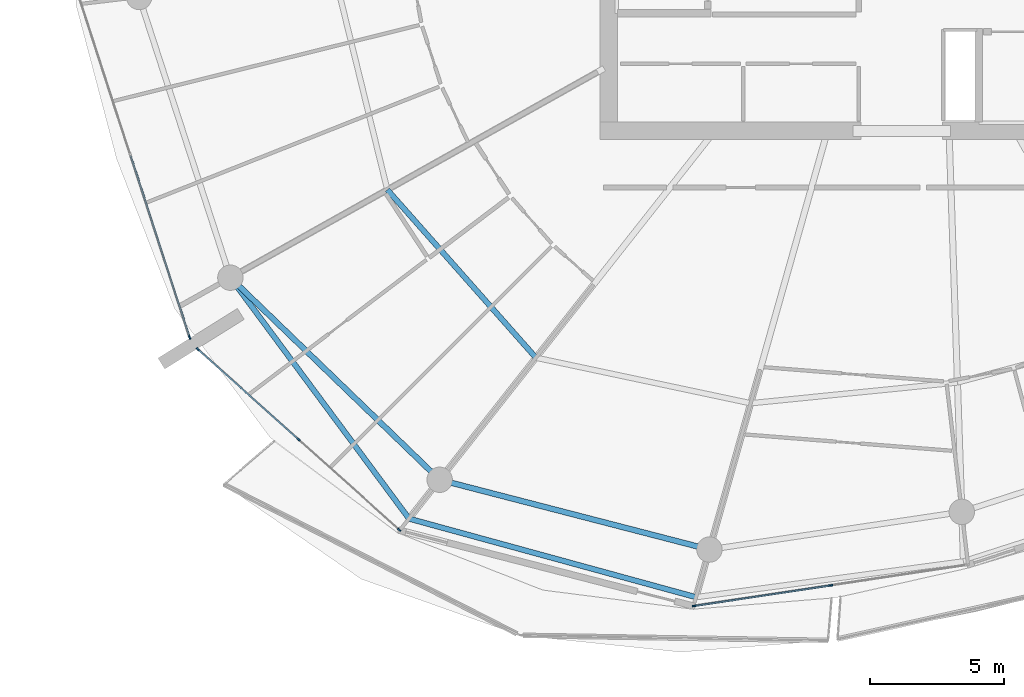
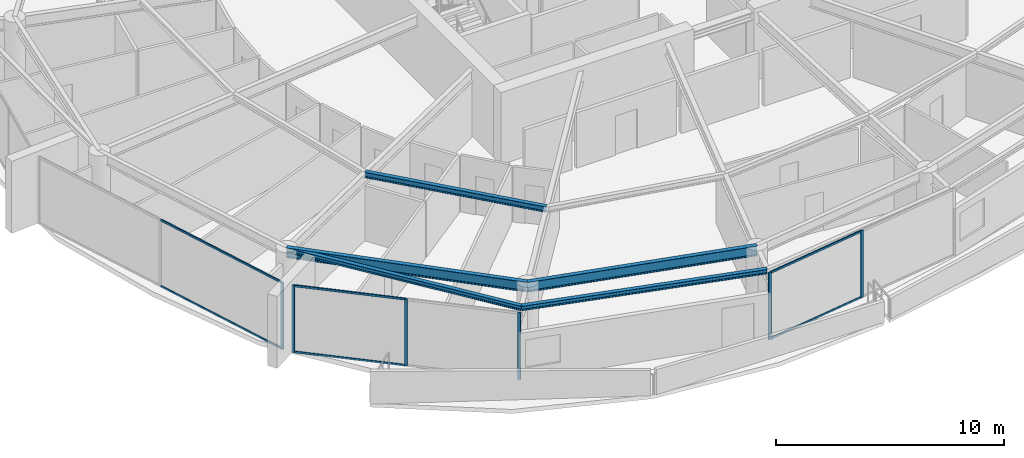
# One storey, part 5 of 29: 12 members, 5 beams, 3 elements without a shape of their own.
"""IFC4 building model written with IfcOpenShell, lengths in metres."""

from ifc_helpers import new_model, si_unit, direction, frame, origin, origin_2d, place, context, subcontext, project, spatial, rectangle, i_section, extrude, material, layer, layer_set, material_profile, profile_set, type_object, element, aggregate, save


model = new_model("IFC4")

# Units and contexts
model_context = context("Model", 3, precision=1e-05, world=origin(), true_north=direction((0.0, 1.0)))
body_context = subcontext(model_context, "Body", "Model", "MODEL_VIEW")
ifc_project = project(units=[si_unit("LENGTHUNIT", "METRE"), si_unit("AREAUNIT", "SQUARE_METRE"), si_unit("VOLUMEUNIT", "CUBIC_METRE"), si_unit("PLANEANGLEUNIT", "RADIAN"), si_unit("MASSUNIT", "GRAM", prefix="KILO")], contexts=[model_context])

# Site, building, storey
site_placement = place(None, origin())
site = spatial("IfcSite", under=ifc_project, at=site_placement, CompositionType="ELEMENT")
building_placement = place(site_placement, origin())
building = spatial("IfcBuilding", under=site, at=building_placement, Name="Kazma Halo Residences", CompositionType="ELEMENT")
storey_placement = place(building_placement, frame((0.0, 0.0, 252.10009765625)))
storey = spatial("IfcBuildingStorey", under=building, at=storey_placement, Name="L63", CompositionType="ELEMENT", Elevation=252.10009765625)

# Beams
ifc_material_1 = material(Name="Steel S355", Category="steel")
ifc_material_profile_1 = material_profile(ifc_material_1, i_section(OverallWidth=0.201904296875, OverallDepth=0.2470703125, WebThickness=0.00732421875, FlangeThickness=0.010986328125, FilletRadius=0.011962890625, at=origin_2d()), Name="W250x49.1")
ifc_profile_set_1 = profile_set([ifc_material_profile_1], Name="Steel S355")
beam_type_1 = type_object("IfcBeamType", Name="BM-BAL-CANT", PredefinedType="BEAM", material=ifc_profile_set_1)
beam_1_placement = place(storey_placement, frame((23.32958984375, 28.18408203125, 3.46630859375), z_axis=(0.595556062515, -0.803313747176, 0.0), x_axis=(0.803313747176, 0.595556062515, 0.0)))
element("IfcBeam", 1, at=beam_1_placement, inside=storey, type_object=beam_type_1, Name="L63 wave-balcony lead tie beam 09", PredefinedType="BEAM", context=body_context, shape_type="SweptSolid", body=[
    extrude(i_section(OverallWidth=0.201904296875, OverallDepth=0.2470703125, WebThickness=0.00732421875, FlangeThickness=0.010986328125, FilletRadius=0.011962890625, at=origin_2d()), origin(), (0.0, 0.0, 1.0), 11.213134765625),
])
beam_2_placement = place(storey_placement, frame((30.007568359375, 19.176513671875, 3.46630859375), z_axis=(0.964514665976, -0.264029277006, 0.0), x_axis=(0.264029277006, 0.964514665976, 0.0)))
element("IfcBeam", 2, at=beam_2_placement, inside=storey, type_object=beam_type_1, Name="L63 wave-balcony tie beam 10", PredefinedType="BEAM", context=body_context, shape_type="SweptSolid", body=[
    extrude(i_section(OverallWidth=0.201904296875, OverallDepth=0.2470703125, WebThickness=0.00732421875, FlangeThickness=0.010986328125, FilletRadius=0.011962890625, at=origin_2d()), origin(), (0.0, 0.0, 1.0), 11.1220703125),
])
ifc_material_profile_2 = material_profile(ifc_material_1, i_section(OverallWidth=0.202880859375, OverallDepth=0.302978515625, WebThickness=0.007568359375, FlangeThickness=0.01318359375, FilletRadius=0.013916015625, at=origin_2d()), Name="W310x60")
ifc_profile_set_2 = profile_set([ifc_material_profile_2], Name="Steel S355")
beam_type_2 = type_object("IfcBeamType", Name="BM-SEC-W310A", PredefinedType="JOIST", material=ifc_profile_set_2)
beam_3_placement = place(storey_placement, frame((29.197265625, 31.469970703125, 3.4384765625), z_axis=(0.662539311942, -0.749027142453, 0.0), x_axis=(0.749027142453, 0.662539311942, 0.0)))
element("IfcBeam", 3, at=beam_3_placement, inside=storey, type_object=beam_type_2, Name="L63 circumferential floor joist 09", PredefinedType="JOIST", context=body_context, shape_type="SweptSolid", body=[
    extrude(i_section(OverallWidth=0.202880859375, OverallDepth=0.302978515625, WebThickness=0.007568359375, FlangeThickness=0.01318359375, FilletRadius=0.013916015625, at=origin_2d()), origin(), (0.0, 0.0, 1.0), 8.381103515625),
])
ifc_material_profile_3 = material_profile(ifc_material_1, i_section(OverallWidth=0.208984375, OverallDepth=0.532958984375, WebThickness=0.01025390625, FlangeThickness=0.015625, FilletRadius=0.01611328125, at=origin_2d()), Name="W530x92")
ifc_profile_set_3 = profile_set([ifc_material_profile_3], Name="Steel S355")
beam_type_3 = type_object("IfcBeamType", Name="BM-SPN-W530", PredefinedType="BEAM", material=ifc_profile_set_3)
beam_4_placement = place(storey_placement, frame((23.32958984375, 28.18408203125, 3.323486328125), z_axis=(0.719345757929, -0.694652201141, 0.0), x_axis=(0.694652201141, 0.719345757929, 0.0)))
element("IfcBeam", 4, at=beam_4_placement, inside=storey, type_object=beam_type_3, Name="L63 perimeter ring beam 09", PredefinedType="BEAM", context=body_context, shape_type="SweptSolid", body=[
    extrude(i_section(OverallWidth=0.208984375, OverallDepth=0.532958984375, WebThickness=0.01025390625, FlangeThickness=0.015625, FilletRadius=0.01611328125, at=origin_2d()), origin(), (0.0, 0.0, 1.0), 10.87548828125),
])
beam_5_placement = place(storey_placement, frame((31.15283203125, 20.62939453125, 3.323486328125), z_axis=(0.968126042852, -0.250463500639, 0.0), x_axis=(0.250463500639, 0.968126042852, 0.0)))
element("IfcBeam", 5, at=beam_5_placement, inside=storey, type_object=beam_type_3, Name="L63 perimeter ring beam 10", PredefinedType="BEAM", context=body_context, shape_type="SweptSolid", body=[
    extrude(i_section(OverallWidth=0.208984375, OverallDepth=0.532958984375, WebThickness=0.01025390625, FlangeThickness=0.015625, FilletRadius=0.01611328125, at=origin_2d()), origin(), (0.0, 0.0, 1.0), 10.416259765625),
])

# Curtain wall, member
ifc_material_2 = material(Name="Aluminium AW-6063 T6 and Triple-Silver Low-E Glass", Category="aluminium")
ifc_layer = layer(ifc_material_2, 0.139892578125)
ifc_layer_set = layer_set([ifc_layer], Name="Aluminium AW-6063 T6 and Triple-Silver Low-E Glass")
curtain_wall_type = type_object("IfcCurtainWallType", Name="CW-SYS-5", PredefinedType="NOTDEFINED", material=ifc_layer_set)
curtain_wall_1_placement = place(storey_placement, origin())
curtain_wall_1 = element("IfcCurtainWall", 6, at=curtain_wall_1_placement, inside=storey, type_object=curtain_wall_type, Name="L63 unitised curtain wall B08", PredefinedType="NOTDEFINED")
ifc_material_3 = material(Name="Aluminium AW-6063 T6", Category="aluminium")
ifc_material_profile_4 = material_profile(ifc_material_3, rectangle(XDim=0.06005859375, YDim=0.139892578125, at=origin_2d()), Name="CWM-60x140")
ifc_profile_set_4 = profile_set([ifc_material_profile_4], Name="Aluminium AW-6063 T6")
member_type_1 = type_object("IfcMemberType", Name="CW-SYS-5-MUL", PredefinedType="MULLION", material=ifc_profile_set_4)
member_1_placement = place(storey_placement, frame((21.8076171875, 25.9521484375, 0.0), z_axis=(0.0, 0.0, 1.0), x_axis=(0.951058464359, 0.309010998786, 0.0)))
member_1 = element("IfcMember", 7, at=member_1_placement, type_object=member_type_1, Name="CWS-5 mullion 3", PredefinedType="MULLION", context=body_context, shape_type="SweptSolid", body=[
    extrude(rectangle(XDim=0.06005859375, YDim=0.139892578125, at=origin_2d()), origin(), (0.0, 0.0, 1.0), 3.58984375),
])

# Curtain wall, members
curtain_wall_2_placement = place(storey_placement, origin())
curtain_wall_2 = element("IfcCurtainWall", 8, at=curtain_wall_2_placement, inside=storey, type_object=curtain_wall_type, Name="L63 unitised curtain wall B09", PredefinedType="NOTDEFINED")
member_2_placement = place(storey_placement, frame((22.11669921875, 25.508056640625, 0.0), z_axis=(0.0, 0.0, 1.0), x_axis=(0.667804826958, 0.744336424671, 0.0)))
member_2 = element("IfcMember", 9, at=member_2_placement, type_object=member_type_1, Name="CWS-5 mullion 1", PredefinedType="MULLION", context=body_context, shape_type="SweptSolid", body=[
    extrude(rectangle(XDim=0.06005859375, YDim=0.139892578125, at=origin_2d()), origin(), (0.0, 0.0, 1.0), 3.58984375),
])
member_3_placement = place(storey_placement, frame((25.878173828125, 22.13330078125, 0.0), z_axis=(0.0, 0.0, 1.0), x_axis=(0.667804826958, 0.744336424671, 0.0)))
member_3 = element("IfcMember", 10, at=member_3_placement, type_object=member_type_1, Name="CWS-5 mullion 2", PredefinedType="MULLION", context=body_context, shape_type="SweptSolid", body=[
    extrude(rectangle(XDim=0.06005859375, YDim=0.139892578125, at=origin_2d()), origin(), (0.0, 0.0, 1.0), 3.58984375),
])
member_4_placement = place(storey_placement, frame((29.6396484375, 18.758544921875, 0.0), z_axis=(0.0, 0.0, 1.0), x_axis=(0.667804826958, 0.744336424671, 0.0)))
member_4 = element("IfcMember", 11, at=member_4_placement, type_object=member_type_1, Name="CWS-5 mullion 3", PredefinedType="MULLION", context=body_context, shape_type="SweptSolid", body=[
    extrude(rectangle(XDim=0.06005859375, YDim=0.139892578125, at=origin_2d()), origin(), (0.0, 0.0, 1.0), 3.58984375),
])

curtain_wall_3_placement = place(storey_placement, origin())
curtain_wall_3 = element("IfcCurtainWall", 12, at=curtain_wall_3_placement, inside=storey, type_object=curtain_wall_type, Name="L63 unitised curtain wall B11", PredefinedType="NOTDEFINED")
member_5_placement = place(storey_placement, frame((40.671142578125, 15.912841796875, 0.0), z_axis=(0.0, 0.0, 1.0), x_axis=(-0.148697080374, 0.988882792998, 0.0)))
member_5 = element("IfcMember", 13, at=member_5_placement, type_object=member_type_1, Name="CWS-5 mullion 1", PredefinedType="MULLION", context=body_context, shape_type="SweptSolid", body=[
    extrude(rectangle(XDim=0.06005859375, YDim=0.139892578125, at=origin_2d()), origin(), (0.0, 0.0, 1.0), 3.58984375),
])
member_6_placement = place(storey_placement, frame((45.7734375, 16.679931640625, 0.0), z_axis=(0.0, 0.0, 1.0), x_axis=(-0.148697080374, 0.988882792998, 0.0)))
member_6 = element("IfcMember", 14, at=member_6_placement, type_object=member_type_1, Name="CWS-5 mullion 2", PredefinedType="MULLION", context=body_context, shape_type="SweptSolid", body=[
    extrude(rectangle(XDim=0.06005859375, YDim=0.139892578125, at=origin_2d()), origin(), (0.0, 0.0, 1.0), 3.58984375),
])

# Member
ifc_material_profile_5 = material_profile(ifc_material_3, rectangle(XDim=0.06005859375, YDim=0.10498046875, at=origin_2d()), Name="CWT-60x105")
ifc_profile_set_5 = profile_set([ifc_material_profile_5], Name="Aluminium AW-6063 T6")
member_type_2 = type_object("IfcMemberType", Name="CW-SYS-5-TRN", PredefinedType="USERDEFINED", material=ifc_profile_set_5)
member_7_placement = place(storey_placement, frame((19.6015625, 32.7412109375, 0.02978515625), z_axis=(0.309027052142, -0.95105324827, 0.0), x_axis=(0.95105324827, 0.309027052142, 0.0)))
member_7 = element("IfcMember", 15, at=member_7_placement, type_object=member_type_2, Name="CWS-5 transom 2.1", ObjectType="TRANSOM", PredefinedType="USERDEFINED", context=body_context, shape_type="SweptSolid", body=[
    extrude(rectangle(XDim=0.06005859375, YDim=0.10498046875, at=origin_2d()), origin(), (0.0, 0.0, 1.0), 7.108642578125),
])

member_8_placement = place(storey_placement, frame((19.6015625, 32.7412109375, 3.559814453125), z_axis=(0.309027052142, -0.95105324827, 0.0), x_axis=(0.95105324827, 0.309027052142, 0.0)))
member_8 = element("IfcMember", 16, at=member_8_placement, type_object=member_type_2, Name="CWS-5 transom 2.2", ObjectType="TRANSOM", PredefinedType="USERDEFINED", context=body_context, shape_type="SweptSolid", body=[
    extrude(rectangle(XDim=0.06005859375, YDim=0.10498046875, at=origin_2d()), origin(), (0.0, 0.0, 1.0), 7.108642578125),
])

aggregate(curtain_wall_1, [member_1, member_7, member_8])

member_9_placement = place(storey_placement, frame((22.138916015625, 25.488037109375, 0.02978515625), z_axis=(0.744328897483, -0.667813216679, 0.0), x_axis=(0.667813216679, 0.744328897483, 0.0)))
member_9 = element("IfcMember", 17, at=member_9_placement, type_object=member_type_2, Name="CWS-5 transom 1.1", ObjectType="TRANSOM", PredefinedType="USERDEFINED", context=body_context, shape_type="SweptSolid", body=[
    extrude(rectangle(XDim=0.06005859375, YDim=0.10498046875, at=origin_2d()), origin(), (0.0, 0.0, 1.0), 4.993408203125),
])

member_10_placement = place(storey_placement, frame((22.138916015625, 25.488037109375, 3.559814453125), z_axis=(0.744328897483, -0.667813216679, 0.0), x_axis=(0.667813216679, 0.744328897483, 0.0)))
member_10 = element("IfcMember", 18, at=member_10_placement, type_object=member_type_2, Name="CWS-5 transom 1.2", ObjectType="TRANSOM", PredefinedType="USERDEFINED", context=body_context, shape_type="SweptSolid", body=[
    extrude(rectangle(XDim=0.06005859375, YDim=0.10498046875, at=origin_2d()), origin(), (0.0, 0.0, 1.0), 4.993408203125),
])

aggregate(curtain_wall_2, [member_2, member_3, member_4, member_9, member_10])

member_11_placement = place(storey_placement, frame((40.70068359375, 15.917236328125, 0.02978515625), z_axis=(0.988883972013, 0.148689239341, 0.0), x_axis=(-0.148689239341, 0.988883972013, 0.0)))
member_11 = element("IfcMember", 19, at=member_11_placement, type_object=member_type_2, Name="CWS-5 transom 1.1", ObjectType="TRANSOM", PredefinedType="USERDEFINED", context=body_context, shape_type="SweptSolid", body=[
    extrude(rectangle(XDim=0.06005859375, YDim=0.10498046875, at=origin_2d()), origin(), (0.0, 0.0, 1.0), 5.099853515625),
])

member_12_placement = place(storey_placement, frame((40.70068359375, 15.917236328125, 3.559814453125), z_axis=(0.988883972013, 0.148689239341, 0.0), x_axis=(-0.148689239341, 0.988883972013, 0.0)))
member_12 = element("IfcMember", 20, at=member_12_placement, type_object=member_type_2, Name="CWS-5 transom 1.2", ObjectType="TRANSOM", PredefinedType="USERDEFINED", context=body_context, shape_type="SweptSolid", body=[
    extrude(rectangle(XDim=0.06005859375, YDim=0.10498046875, at=origin_2d()), origin(), (0.0, 0.0, 1.0), 5.099853515625),
])

aggregate(curtain_wall_3, [member_5, member_6, member_11, member_12])

save(model, "model.ifc")
